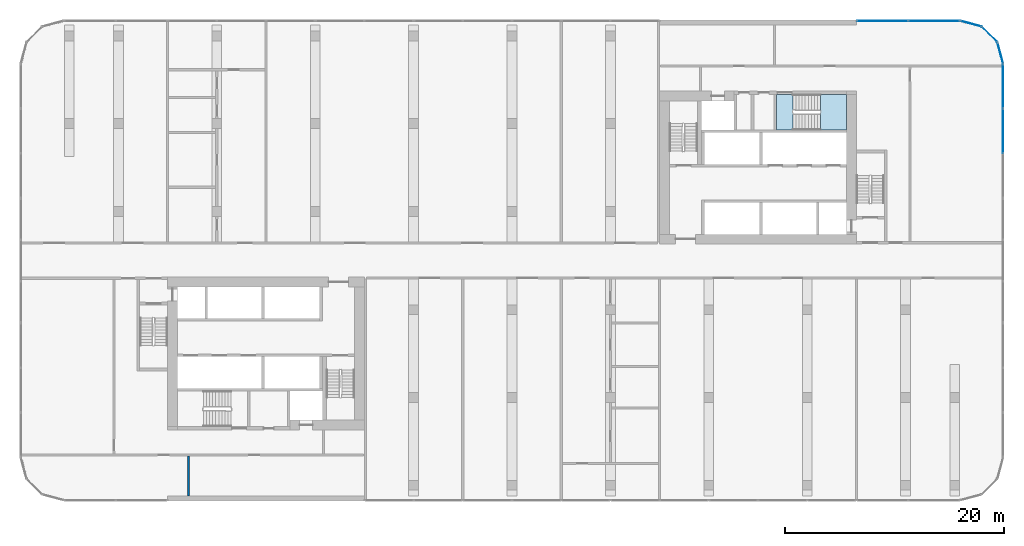
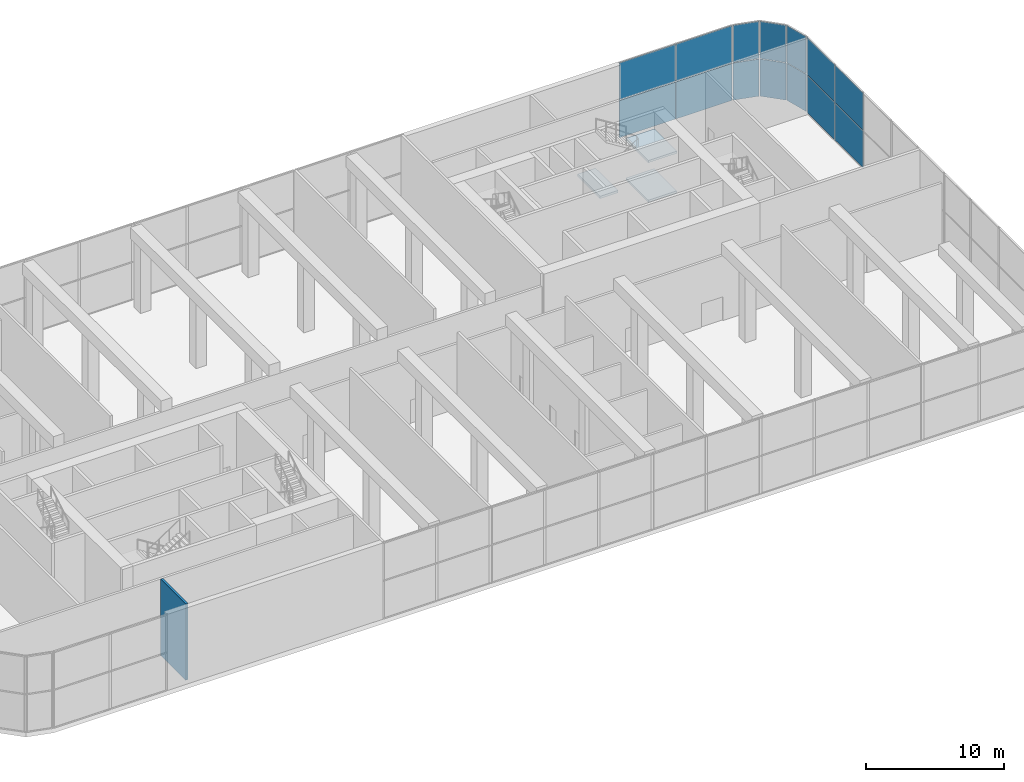
# One storey, part 11 of 23: 14 plates, 3 slabs, 1 wall, 6 elements without a shape of their own.
"""IFC4 building model written with IfcOpenShell, lengths in metres."""

from ifc_helpers import new_model, si_unit, direction, frame, frame_2d, origin, origin_2d, place, context, subcontext, project, spatial, polyline, rectangle, outline, extrude, material, layer, layer_set, type_object, element, aggregate, save


model = new_model("IFC4")

# Units and contexts
model_context = context("Model", 3, precision=1e-05, world=origin(), true_north=direction((0.0, 1.0)))
body_context = subcontext(model_context, "Body", "Model", "MODEL_VIEW")
ifc_project = project(units=[si_unit("LENGTHUNIT", "METRE"), si_unit("AREAUNIT", "SQUARE_METRE"), si_unit("VOLUMEUNIT", "CUBIC_METRE"), si_unit("PLANEANGLEUNIT", "RADIAN"), si_unit("MASSUNIT", "GRAM", prefix="KILO")], contexts=[model_context])

# Site, building, storey
site_placement = place(None, origin())
site = spatial("IfcSite", under=ifc_project, at=site_placement, CompositionType="ELEMENT")
building_placement = place(site_placement, origin())
building = spatial("IfcBuilding", under=site, at=building_placement, Name="Kajstack Hotel Tower", CompositionType="ELEMENT")
storey_placement = place(building_placement, frame((0.0, 0.0, 53.0)))
storey = spatial("IfcBuildingStorey", under=building, at=storey_placement, Name="L08", CompositionType="ELEMENT", Elevation=53.0)

# Curtain wall, plates
ifc_material_1 = material(Name="Aluminium-framed curtain wall, low-iron insulated glass", Category="aluminium")
curtain_wall_type = type_object("IfcCurtainWallType", Name="CW-GARDEN", PredefinedType="NOTDEFINED", material=ifc_material_1)
curtain_wall_1_placement = place(storey_placement, origin())
curtain_wall_1 = element("IfcCurtainWall", 1, at=curtain_wall_1_placement, inside=storey, type_object=curtain_wall_type, Name="Curtain wall CU6 L08-07-00-2", PredefinedType="NOTDEFINED")
ifc_material_2 = material(Name="Low-iron insulated glass", Category="glass")
ifc_layer_1 = layer(ifc_material_2, 0.0400390625)
ifc_layer_set_1 = layer_set([ifc_layer_1], Name="CW-P-GARDEN")
plate_type = type_object("IfcPlateType", Name="CW-P-GARDEN", PredefinedType="CURTAIN_PANEL", material=ifc_layer_set_1)
plate_1_placement = place(storey_placement, frame((44.925048828125, 11.85009765625, 0.06005859375), z_axis=(0.0, 0.0, 1.0), x_axis=(0.0, 1.0, 0.0)))
plate_1 = element("IfcPlate", 2, at=plate_1_placement, type_object=plate_type, Name="CU6 panel 2.1", PredefinedType="CURTAIN_PANEL", context=body_context, shape_type="SweptSolid", body=[
    extrude(rectangle(XDim=4.0400390625, YDim=0.0400390625, at=origin_2d()), origin(), (0.0, 0.0, 1.0), 3.27001953125),
])
plate_2_placement = place(storey_placement, frame((44.925048828125, 11.85009765625, 3.389892578125), z_axis=(0.0, 0.0, 1.0), x_axis=(0.0, 1.0, 0.0)))
plate_2 = element("IfcPlate", 3, at=plate_2_placement, type_object=plate_type, Name="CU6 panel 2.2", PredefinedType="CURTAIN_PANEL", context=body_context, shape_type="SweptSolid", body=[
    extrude(rectangle(XDim=4.0400390625, YDim=0.0400390625, at=origin_2d()), origin(), (0.0, 0.0, 1.0), 3.27001953125),
])
plate_3_placement = place(storey_placement, frame((44.925048828125, 15.93505859375, 0.06005859375), z_axis=(0.0, 0.0, 1.0), x_axis=(0.0, 1.0, 0.0)))
plate_3 = element("IfcPlate", 4, at=plate_3_placement, type_object=plate_type, Name="CU6 panel 3.1", PredefinedType="CURTAIN_PANEL", context=body_context, shape_type="SweptSolid", body=[
    extrude(rectangle(XDim=4.010009765625, YDim=0.0400390625, at=origin_2d()), origin(), (0.0, 0.0, 1.0), 3.27001953125),
])
plate_4_placement = place(storey_placement, frame((44.925048828125, 15.93505859375, 3.389892578125), z_axis=(0.0, 0.0, 1.0), x_axis=(0.0, 1.0, 0.0)))
plate_4 = element("IfcPlate", 5, at=plate_4_placement, type_object=plate_type, Name="CU6 panel 3.2", PredefinedType="CURTAIN_PANEL", context=body_context, shape_type="SweptSolid", body=[
    extrude(rectangle(XDim=4.010009765625, YDim=0.0400390625, at=origin_2d()), origin(), (0.0, 0.0, 1.0), 3.27001953125),
])
aggregate(curtain_wall_1, [plate_1, plate_2, plate_3, plate_4])

curtain_wall_2_placement = place(storey_placement, origin())
curtain_wall_2 = element("IfcCurtainWall", 6, at=curtain_wall_2_placement, inside=storey, type_object=curtain_wall_type, Name="Curtain wall CU6 L08-08-00-0", PredefinedType="NOTDEFINED")
plate_5_placement = place(storey_placement, frame((44.65966796875, 18.98046875, 0.06005859375), z_axis=(0.0, 0.0, 1.0), x_axis=(-0.258819772904, 0.965925631275, 0.0)))
plate_5 = element("IfcPlate", 7, at=plate_5_placement, type_object=plate_type, Name="CU6 panel 1.1", PredefinedType="CURTAIN_PANEL", context=body_context, shape_type="SweptSolid", body=[
    extrude(rectangle(XDim=1.950439453125, YDim=0.0400390625, at=origin_2d()), origin(), (0.0, 0.0, 1.0), 3.27001953125),
])
plate_6_placement = place(storey_placement, frame((44.65966796875, 18.98046875, 3.389892578125), z_axis=(0.0, 0.0, 1.0), x_axis=(-0.258819772904, 0.965925631275, 0.0)))
plate_6 = element("IfcPlate", 8, at=plate_6_placement, type_object=plate_type, Name="CU6 panel 1.2", PredefinedType="CURTAIN_PANEL", context=body_context, shape_type="SweptSolid", body=[
    extrude(rectangle(XDim=1.950439453125, YDim=0.0400390625, at=origin_2d()), origin(), (0.0, 0.0, 1.0), 3.27001953125),
])
aggregate(curtain_wall_2, [plate_5, plate_6])

curtain_wall_3_placement = place(storey_placement, origin())
curtain_wall_3 = element("IfcCurtainWall", 9, at=curtain_wall_3_placement, inside=storey, type_object=curtain_wall_type, Name="Curtain wall CU6 L08-09-00-0", PredefinedType="NOTDEFINED")
plate_7_placement = place(storey_placement, frame((43.678955078125, 20.678955078125, 0.06005859375), z_axis=(0.0, 0.0, 1.0), x_axis=(-0.707106781187, 0.707106781187, 0.0)))
plate_7 = element("IfcPlate", 10, at=plate_7_placement, type_object=plate_type, Name="CU6 panel 1.1", PredefinedType="CURTAIN_PANEL", context=body_context, shape_type="SweptSolid", body=[
    extrude(rectangle(XDim=1.950439453125, YDim=0.0400390625, at=origin_2d()), origin(), (0.0, 0.0, 1.0), 3.27001953125),
])
plate_8_placement = place(storey_placement, frame((43.678955078125, 20.678955078125, 3.389892578125), z_axis=(0.0, 0.0, 1.0), x_axis=(-0.707106781187, 0.707106781187, 0.0)))
plate_8 = element("IfcPlate", 11, at=plate_8_placement, type_object=plate_type, Name="CU6 panel 1.2", PredefinedType="CURTAIN_PANEL", context=body_context, shape_type="SweptSolid", body=[
    extrude(rectangle(XDim=1.950439453125, YDim=0.0400390625, at=origin_2d()), origin(), (0.0, 0.0, 1.0), 3.27001953125),
])
aggregate(curtain_wall_3, [plate_7, plate_8])

curtain_wall_4_placement = place(storey_placement, origin())
curtain_wall_4 = element("IfcCurtainWall", 12, at=curtain_wall_4_placement, inside=storey, type_object=curtain_wall_type, Name="Curtain wall CU6 L08-10-00-0", PredefinedType="NOTDEFINED")
plate_9_placement = place(storey_placement, frame((41.98046875, 21.65966796875, 0.06005859375), z_axis=(0.0, 0.0, 1.0), x_axis=(-0.965925631275, 0.258819772904, 0.0)))
plate_9 = element("IfcPlate", 13, at=plate_9_placement, type_object=plate_type, Name="CU6 panel 1.1", PredefinedType="CURTAIN_PANEL", context=body_context, shape_type="SweptSolid", body=[
    extrude(rectangle(XDim=1.950439453125, YDim=0.0400390625, at=origin_2d()), origin(), (0.0, 0.0, 1.0), 3.27001953125),
])
plate_10_placement = place(storey_placement, frame((41.98046875, 21.65966796875, 3.389892578125), z_axis=(0.0, 0.0, 1.0), x_axis=(-0.965925631275, 0.258819772904, 0.0)))
plate_10 = element("IfcPlate", 14, at=plate_10_placement, type_object=plate_type, Name="CU6 panel 1.2", PredefinedType="CURTAIN_PANEL", context=body_context, shape_type="SweptSolid", body=[
    extrude(rectangle(XDim=1.950439453125, YDim=0.0400390625, at=origin_2d()), origin(), (0.0, 0.0, 1.0), 3.27001953125),
])
aggregate(curtain_wall_4, [plate_9, plate_10])

curtain_wall_5_placement = place(storey_placement, origin())
curtain_wall_5 = element("IfcCurtainWall", 15, at=curtain_wall_5_placement, inside=storey, type_object=curtain_wall_type, Name="Curtain wall CU6 L08-11-00-0", PredefinedType="NOTDEFINED")
plate_11_placement = place(storey_placement, frame((38.610107421875, 21.925048828125, 0.06005859375), z_axis=(0.0, 0.0, 1.0), x_axis=(-1.0, 0.0, 0.0)))
plate_11 = element("IfcPlate", 16, at=plate_11_placement, type_object=plate_type, Name="CU6 panel 1.1", PredefinedType="CURTAIN_PANEL", context=body_context, shape_type="SweptSolid", body=[
    extrude(rectangle(XDim=4.659912109375, YDim=0.0400390625, at=origin_2d()), origin(), (0.0, 0.0, 1.0), 3.27001953125),
])
plate_12_placement = place(storey_placement, frame((38.610107421875, 21.925048828125, 3.389892578125), z_axis=(0.0, 0.0, 1.0), x_axis=(-1.0, 0.0, 0.0)))
plate_12 = element("IfcPlate", 17, at=plate_12_placement, type_object=plate_type, Name="CU6 panel 1.2", PredefinedType="CURTAIN_PANEL", context=body_context, shape_type="SweptSolid", body=[
    extrude(rectangle(XDim=4.659912109375, YDim=0.0400390625, at=origin_2d()), origin(), (0.0, 0.0, 1.0), 3.27001953125),
])
plate_13_placement = place(storey_placement, frame((33.889892578125, 21.925048828125, 0.06005859375), z_axis=(0.0, 0.0, 1.0), x_axis=(-1.0, 0.0, 0.0)))
plate_13 = element("IfcPlate", 18, at=plate_13_placement, type_object=plate_type, Name="CU6 panel 2.1", PredefinedType="CURTAIN_PANEL", context=body_context, shape_type="SweptSolid", body=[
    extrude(rectangle(XDim=4.659912109375, YDim=0.0400390625, at=origin_2d()), origin(), (0.0, 0.0, 1.0), 3.27001953125),
])
plate_14_placement = place(storey_placement, frame((33.889892578125, 21.925048828125, 3.389892578125), z_axis=(0.0, 0.0, 1.0), x_axis=(-1.0, 0.0, 0.0)))
plate_14 = element("IfcPlate", 19, at=plate_14_placement, type_object=plate_type, Name="CU6 panel 2.2", PredefinedType="CURTAIN_PANEL", context=body_context, shape_type="SweptSolid", body=[
    extrude(rectangle(XDim=4.659912109375, YDim=0.0400390625, at=origin_2d()), origin(), (0.0, 0.0, 1.0), 3.27001953125),
])
aggregate(curtain_wall_5, [plate_11, plate_12, plate_13, plate_14])

# Stair, slabs
ifc_material_3 = material(Name="Concrete C40/50", Category="concrete")
stair_type = type_object("IfcStairType", Name="Exit stair 1500", PredefinedType="HALF_TURN_STAIR", material=ifc_material_3)
stair_placement = place(storey_placement, origin())
stair = element("IfcStair", 20, at=stair_placement, inside=storey, type_object=stair_type, Name="L08 stair E3", PredefinedType="HALF_TURN_STAIR")
ifc_layer_2 = layer(ifc_material_3, 0.199951171875)
ifc_layer_set_2 = layer_set([ifc_layer_2], Name="Stair landing 200")
slab_type = type_object("IfcSlabType", Name="Stair landing 200", PredefinedType="LANDING", material=ifc_layer_set_2)
slab_1_placement = place(storey_placement, frame((0.0, 0.0, 1.550048828125)))
slab_1 = element("IfcSlab", 21, at=slab_1_placement, type_object=slab_type, Name="E3 landing 1", PredefinedType="LANDING", context=body_context, shape_type="SweptSolid", body=[
    extrude(outline(polyline([(28.219970703125, 11.949951171875), (30.60009765625, 11.949951171875), (30.60009765625, 15.199951171875), (28.219970703125, 15.199951171875), (28.219970703125, 11.949951171875)])), origin(), (0.0, 0.0, 1.0), 0.199951171875),
])
slab_2_placement = place(storey_placement, frame((0.0, 0.0, 3.300048828125)))
slab_2 = element("IfcSlab", 22, at=slab_2_placement, type_object=slab_type, Name="E3 landing 2", PredefinedType="LANDING", context=body_context, shape_type="SweptSolid", body=[
    extrude(outline(polyline([(24.199951171875, 11.949951171875), (25.699951171875, 11.949951171875), (25.699951171875, 15.199951171875), (24.199951171875, 15.199951171875), (24.199951171875, 11.949951171875)])), origin(), (0.0, 0.0, 1.0), 0.199951171875),
])
slab_3_placement = place(storey_placement, frame((0.0, 0.0, 5.050048828125)))
slab_3 = element("IfcSlab", 23, at=slab_3_placement, type_object=slab_type, Name="E3 landing 3", PredefinedType="LANDING", context=body_context, shape_type="SweptSolid", body=[
    extrude(outline(polyline([(28.219970703125, 11.949951171875), (30.60009765625, 11.949951171875), (30.60009765625, 15.199951171875), (28.219970703125, 15.199951171875), (28.219970703125, 11.949951171875)])), origin(), (0.0, 0.0, 1.0), 0.199951171875),
])
aggregate(stair, [slab_1, slab_2, slab_3])

# Wall
ifc_material_4 = material(Name="Gypsum board on steel studs, mineral wool", Category="steel")
ifc_layer_3 = layer(ifc_material_4, 0.199951171875)
ifc_layer_set_3 = layer_set([ifc_layer_3], Name="Service partition 200")
wall_type = type_object("IfcWallType", Name="Service partition 200", PredefinedType="PARTITIONING", material=ifc_layer_set_3)
wall_placement = place(storey_placement, frame((-29.60009765625, -21.550048828125, 0.0), z_axis=(0.0, 0.0, 1.0), x_axis=(0.0, 1.0, 0.0)))
element("IfcWall", 24, at=wall_placement, inside=storey, type_object=wall_type, Name="Partition W SLP0", PredefinedType="PARTITIONING", context=body_context, shape_type="SweptSolid", body=[
    extrude(rectangle(XDim=3.650146484375, YDim=0.199951171875, at=frame_2d((1.8251953125, 0.0))), origin(), (0.0, 0.0, 1.0), 6.719970703125),
])

save(model, "model.ifc")
